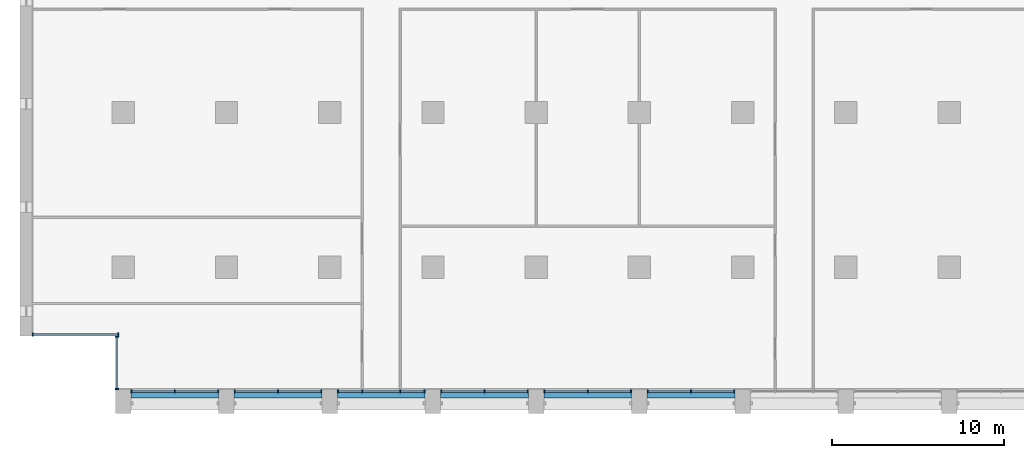
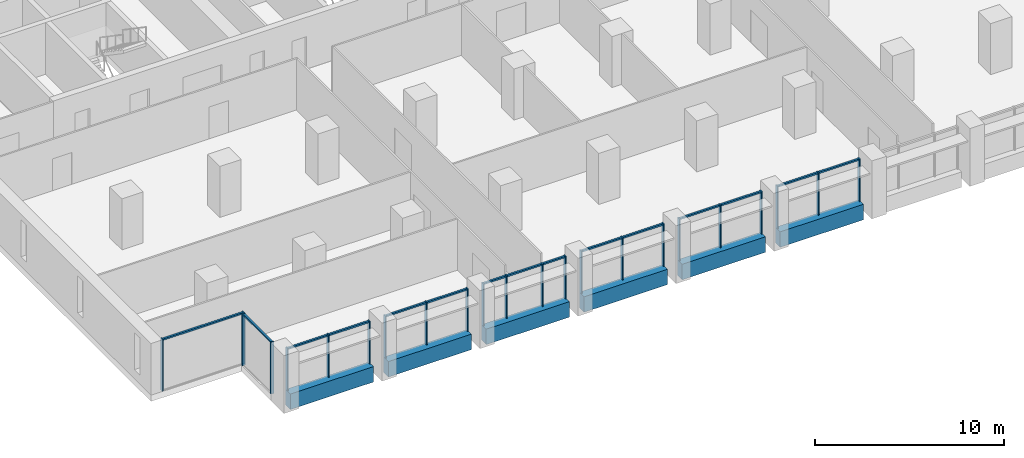
# One storey, part 2 of 15: 38 members, 6 beams, 8 elements without a shape of their own.
"""IFC4 building model written with IfcOpenShell, lengths in metres."""

from ifc_helpers import new_model, si_unit, direction, frame, origin, origin_2d, place, context, subcontext, project, spatial, rectangle, extrude, material, material_profile, profile_set, type_object, element, aggregate, save


model = new_model("IFC4")

# Units and contexts
model_context = context("Model", 3, precision=1e-05, world=origin(), true_north=direction((0.0, 1.0)))
body_context = subcontext(model_context, "Body", "Model", "MODEL_VIEW")
ifc_project = project(units=[si_unit("LENGTHUNIT", "METRE"), si_unit("AREAUNIT", "SQUARE_METRE"), si_unit("VOLUMEUNIT", "CUBIC_METRE"), si_unit("PLANEANGLEUNIT", "RADIAN"), si_unit("MASSUNIT", "GRAM", prefix="KILO")], contexts=[model_context])

# Site, building, storey
site_placement = place(None, origin())
site = spatial("IfcSite", under=ifc_project, at=site_placement, CompositionType="ELEMENT")
building_placement = place(site_placement, origin())
building = spatial("IfcBuilding", under=site, at=building_placement, Name="Calvaro Tower", CompositionType="ELEMENT")
storey_placement = place(building_placement, frame((0.0, 0.0, 125.0)))
storey = spatial("IfcBuildingStorey", under=building, at=storey_placement, Name="L31", CompositionType="ELEMENT", Elevation=125.0)

# Curtain wall, members
ifc_material_1 = material(Name="Anodised aluminium", Category="aluminium")
curtain_wall_type = type_object("IfcCurtainWallType", Name="Office curtain wall, middle zone", PredefinedType="NOTDEFINED", material=ifc_material_1)
curtain_wall_1_placement = place(storey_placement, origin())
curtain_wall_1 = element("IfcCurtainWall", 1, at=curtain_wall_1_placement, inside=storey, type_object=curtain_wall_type, Name="CW2 south curtain wall", PredefinedType="NOTDEFINED")
ifc_material_2 = material(Name="Anodised aluminium", Category="aluminium")
ifc_material_profile_1 = material_profile(ifc_material_2, rectangle(XDim=0.199951171875, YDim=0.070068359375, at=origin_2d()), Name="Mullion S2 70 x 200")
ifc_profile_set_1 = profile_set([ifc_material_profile_1], Name="Anodised aluminium")
member_type_1 = type_object("IfcMemberType", Name="Mullion S2 70 x 200", PredefinedType="MULLION", material=ifc_profile_set_1)
member_1_placement = place(storey_placement, frame((6.485107421875, 2.800048828125, 0.0), z_axis=(0.0, 0.0, 1.0), x_axis=(0.0, 1.0, 0.0)))
member_1 = element("IfcMember", 2, at=member_1_placement, type_object=member_type_1, Name="CW2 mullion 1", PredefinedType="MULLION", context=body_context, shape_type="SweptSolid", body=[
    extrude(rectangle(XDim=0.199951171875, YDim=0.070068359375, at=origin_2d()), origin(), (0.0, 0.0, 1.0), 2.75),
])
member_2_placement = place(storey_placement, frame((9.0, 2.800048828125, 0.0), z_axis=(0.0, 0.0, 1.0), x_axis=(0.0, 1.0, 0.0)))
member_2 = element("IfcMember", 3, at=member_2_placement, type_object=member_type_1, Name="CW2 mullion 2", PredefinedType="MULLION", context=body_context, shape_type="SweptSolid", body=[
    extrude(rectangle(XDim=0.199951171875, YDim=0.070068359375, at=origin_2d()), origin(), (0.0, 0.0, 1.0), 2.75),
])
member_3_placement = place(storey_placement, frame((11.514892578125, 2.800048828125, 0.0), z_axis=(0.0, 0.0, 1.0), x_axis=(0.0, 1.0, 0.0)))
member_3 = element("IfcMember", 4, at=member_3_placement, type_object=member_type_1, Name="CW2 mullion 3", PredefinedType="MULLION", context=body_context, shape_type="SweptSolid", body=[
    extrude(rectangle(XDim=0.199951171875, YDim=0.070068359375, at=origin_2d()), origin(), (0.0, 0.0, 1.0), 2.75),
])

curtain_wall_2_placement = place(storey_placement, origin())
curtain_wall_2 = element("IfcCurtainWall", 5, at=curtain_wall_2_placement, inside=storey, type_object=curtain_wall_type, Name="CW2 south curtain wall", PredefinedType="NOTDEFINED")
member_4_placement = place(storey_placement, frame((12.485107421875, 2.800048828125, 0.0), z_axis=(0.0, 0.0, 1.0), x_axis=(0.0, 1.0, 0.0)))
member_4 = element("IfcMember", 6, at=member_4_placement, type_object=member_type_1, Name="CW2 mullion 1", PredefinedType="MULLION", context=body_context, shape_type="SweptSolid", body=[
    extrude(rectangle(XDim=0.199951171875, YDim=0.070068359375, at=origin_2d()), origin(), (0.0, 0.0, 1.0), 2.75),
])
member_5_placement = place(storey_placement, frame((15.0, 2.800048828125, 0.0), z_axis=(0.0, 0.0, 1.0), x_axis=(0.0, 1.0, 0.0)))
member_5 = element("IfcMember", 7, at=member_5_placement, type_object=member_type_1, Name="CW2 mullion 2", PredefinedType="MULLION", context=body_context, shape_type="SweptSolid", body=[
    extrude(rectangle(XDim=0.199951171875, YDim=0.070068359375, at=origin_2d()), origin(), (0.0, 0.0, 1.0), 2.75),
])
member_6_placement = place(storey_placement, frame((17.514892578125, 2.800048828125, 0.0), z_axis=(0.0, 0.0, 1.0), x_axis=(0.0, 1.0, 0.0)))
member_6 = element("IfcMember", 8, at=member_6_placement, type_object=member_type_1, Name="CW2 mullion 3", PredefinedType="MULLION", context=body_context, shape_type="SweptSolid", body=[
    extrude(rectangle(XDim=0.199951171875, YDim=0.070068359375, at=origin_2d()), origin(), (0.0, 0.0, 1.0), 2.75),
])

curtain_wall_3_placement = place(storey_placement, origin())
curtain_wall_3 = element("IfcCurtainWall", 9, at=curtain_wall_3_placement, inside=storey, type_object=curtain_wall_type, Name="CW2 south curtain wall", PredefinedType="NOTDEFINED")
member_7_placement = place(storey_placement, frame((18.485107421875, 2.800048828125, 0.0), z_axis=(0.0, 0.0, 1.0), x_axis=(0.0, 1.0, 0.0)))
member_7 = element("IfcMember", 10, at=member_7_placement, type_object=member_type_1, Name="CW2 mullion 1", PredefinedType="MULLION", context=body_context, shape_type="SweptSolid", body=[
    extrude(rectangle(XDim=0.199951171875, YDim=0.070068359375, at=origin_2d()), origin(), (0.0, 0.0, 1.0), 2.75),
])
member_8_placement = place(storey_placement, frame((19.89990234375, 2.800048828125, 0.0), z_axis=(0.0, 0.0, 1.0), x_axis=(0.0, 1.0, 0.0)))
member_8 = element("IfcMember", 11, at=member_8_placement, type_object=member_type_1, Name="CW2 mullion 2", PredefinedType="MULLION", context=body_context, shape_type="SweptSolid", body=[
    extrude(rectangle(XDim=0.199951171875, YDim=0.070068359375, at=origin_2d()), origin(), (0.0, 0.0, 1.0), 2.75),
])
member_9_placement = place(storey_placement, frame((22.10009765625, 2.800048828125, 0.0), z_axis=(0.0, 0.0, 1.0), x_axis=(0.0, 1.0, 0.0)))
member_9 = element("IfcMember", 12, at=member_9_placement, type_object=member_type_1, Name="CW2 mullion 3", PredefinedType="MULLION", context=body_context, shape_type="SweptSolid", body=[
    extrude(rectangle(XDim=0.199951171875, YDim=0.070068359375, at=origin_2d()), origin(), (0.0, 0.0, 1.0), 2.75),
])
member_10_placement = place(storey_placement, frame((23.514892578125, 2.800048828125, 0.0), z_axis=(0.0, 0.0, 1.0), x_axis=(0.0, 1.0, 0.0)))
member_10 = element("IfcMember", 13, at=member_10_placement, type_object=member_type_1, Name="CW2 mullion 4", PredefinedType="MULLION", context=body_context, shape_type="SweptSolid", body=[
    extrude(rectangle(XDim=0.199951171875, YDim=0.070068359375, at=origin_2d()), origin(), (0.0, 0.0, 1.0), 2.75),
])

curtain_wall_4_placement = place(storey_placement, origin())
curtain_wall_4 = element("IfcCurtainWall", 14, at=curtain_wall_4_placement, inside=storey, type_object=curtain_wall_type, Name="CW2 south curtain wall", PredefinedType="NOTDEFINED")
member_11_placement = place(storey_placement, frame((24.485107421875, 2.800048828125, 0.0), z_axis=(0.0, 0.0, 1.0), x_axis=(0.0, 1.0, 0.0)))
member_11 = element("IfcMember", 15, at=member_11_placement, type_object=member_type_1, Name="CW2 mullion 1", PredefinedType="MULLION", context=body_context, shape_type="SweptSolid", body=[
    extrude(rectangle(XDim=0.199951171875, YDim=0.070068359375, at=origin_2d()), origin(), (0.0, 0.0, 1.0), 2.75),
])
member_12_placement = place(storey_placement, frame((27.0, 2.800048828125, 0.0), z_axis=(0.0, 0.0, 1.0), x_axis=(0.0, 1.0, 0.0)))
member_12 = element("IfcMember", 16, at=member_12_placement, type_object=member_type_1, Name="CW2 mullion 2", PredefinedType="MULLION", context=body_context, shape_type="SweptSolid", body=[
    extrude(rectangle(XDim=0.199951171875, YDim=0.070068359375, at=origin_2d()), origin(), (0.0, 0.0, 1.0), 2.75),
])
member_13_placement = place(storey_placement, frame((29.514892578125, 2.800048828125, 0.0), z_axis=(0.0, 0.0, 1.0), x_axis=(0.0, 1.0, 0.0)))
member_13 = element("IfcMember", 17, at=member_13_placement, type_object=member_type_1, Name="CW2 mullion 3", PredefinedType="MULLION", context=body_context, shape_type="SweptSolid", body=[
    extrude(rectangle(XDim=0.199951171875, YDim=0.070068359375, at=origin_2d()), origin(), (0.0, 0.0, 1.0), 2.75),
])

curtain_wall_5_placement = place(storey_placement, origin())
curtain_wall_5 = element("IfcCurtainWall", 18, at=curtain_wall_5_placement, inside=storey, type_object=curtain_wall_type, Name="CW2 south curtain wall", PredefinedType="NOTDEFINED")
member_14_placement = place(storey_placement, frame((30.485107421875, 2.800048828125, 0.0), z_axis=(0.0, 0.0, 1.0), x_axis=(0.0, 1.0, 0.0)))
member_14 = element("IfcMember", 19, at=member_14_placement, type_object=member_type_1, Name="CW2 mullion 1", PredefinedType="MULLION", context=body_context, shape_type="SweptSolid", body=[
    extrude(rectangle(XDim=0.199951171875, YDim=0.070068359375, at=origin_2d()), origin(), (0.0, 0.0, 1.0), 2.75),
])
member_15_placement = place(storey_placement, frame((33.0, 2.800048828125, 0.0), z_axis=(0.0, 0.0, 1.0), x_axis=(0.0, 1.0, 0.0)))
member_15 = element("IfcMember", 20, at=member_15_placement, type_object=member_type_1, Name="CW2 mullion 2", PredefinedType="MULLION", context=body_context, shape_type="SweptSolid", body=[
    extrude(rectangle(XDim=0.199951171875, YDim=0.070068359375, at=origin_2d()), origin(), (0.0, 0.0, 1.0), 2.75),
])
member_16_placement = place(storey_placement, frame((35.514892578125, 2.800048828125, 0.0), z_axis=(0.0, 0.0, 1.0), x_axis=(0.0, 1.0, 0.0)))
member_16 = element("IfcMember", 21, at=member_16_placement, type_object=member_type_1, Name="CW2 mullion 3", PredefinedType="MULLION", context=body_context, shape_type="SweptSolid", body=[
    extrude(rectangle(XDim=0.199951171875, YDim=0.070068359375, at=origin_2d()), origin(), (0.0, 0.0, 1.0), 2.75),
])

curtain_wall_6_placement = place(storey_placement, origin())
curtain_wall_6 = element("IfcCurtainWall", 22, at=curtain_wall_6_placement, inside=storey, type_object=curtain_wall_type, Name="CW2 south curtain wall", PredefinedType="NOTDEFINED")
member_17_placement = place(storey_placement, frame((36.485107421875, 2.800048828125, 0.0), z_axis=(0.0, 0.0, 1.0), x_axis=(0.0, 1.0, 0.0)))
member_17 = element("IfcMember", 23, at=member_17_placement, type_object=member_type_1, Name="CW2 mullion 1", PredefinedType="MULLION", context=body_context, shape_type="SweptSolid", body=[
    extrude(rectangle(XDim=0.199951171875, YDim=0.070068359375, at=origin_2d()), origin(), (0.0, 0.0, 1.0), 2.75),
])
member_18_placement = place(storey_placement, frame((39.0, 2.800048828125, 0.0), z_axis=(0.0, 0.0, 1.0), x_axis=(0.0, 1.0, 0.0)))
member_18 = element("IfcMember", 24, at=member_18_placement, type_object=member_type_1, Name="CW2 mullion 2", PredefinedType="MULLION", context=body_context, shape_type="SweptSolid", body=[
    extrude(rectangle(XDim=0.199951171875, YDim=0.070068359375, at=origin_2d()), origin(), (0.0, 0.0, 1.0), 2.75),
])
member_19_placement = place(storey_placement, frame((41.514892578125, 2.800048828125, 0.0), z_axis=(0.0, 0.0, 1.0), x_axis=(0.0, 1.0, 0.0)))
member_19 = element("IfcMember", 25, at=member_19_placement, type_object=member_type_1, Name="CW2 mullion 3", PredefinedType="MULLION", context=body_context, shape_type="SweptSolid", body=[
    extrude(rectangle(XDim=0.199951171875, YDim=0.070068359375, at=origin_2d()), origin(), (0.0, 0.0, 1.0), 2.75),
])

curtain_wall_7_placement = place(storey_placement, origin())
curtain_wall_7 = element("IfcCurtainWall", 26, at=curtain_wall_7_placement, inside=storey, type_object=curtain_wall_type, Name="CW2 corner curtain wall", PredefinedType="NOTDEFINED")
member_20_placement = place(storey_placement, frame((5.64990234375, 2.93505859375, 0.0), z_axis=(0.0, 0.0, 1.0), x_axis=(-1.0, 0.0, 0.0)))
member_20 = element("IfcMember", 27, at=member_20_placement, type_object=member_type_1, Name="CW2 mullion 1", PredefinedType="MULLION", context=body_context, shape_type="SweptSolid", body=[
    extrude(rectangle(XDim=0.199951171875, YDim=0.070068359375, at=origin_2d()), origin(), (0.0, 0.0, 1.0), 3.35009765625),
])
member_21_placement = place(storey_placement, frame((5.64990234375, 5.965087890625, 0.0), z_axis=(0.0, 0.0, 1.0), x_axis=(-1.0, 0.0, 0.0)))
member_21 = element("IfcMember", 28, at=member_21_placement, type_object=member_type_1, Name="CW2 mullion 2", PredefinedType="MULLION", context=body_context, shape_type="SweptSolid", body=[
    extrude(rectangle(XDim=0.199951171875, YDim=0.070068359375, at=origin_2d()), origin(), (0.0, 0.0, 1.0), 3.35009765625),
])

curtain_wall_8_placement = place(storey_placement, origin())
curtain_wall_8 = element("IfcCurtainWall", 29, at=curtain_wall_8_placement, inside=storey, type_object=curtain_wall_type, Name="CW2 corner curtain wall", PredefinedType="NOTDEFINED")
member_22_placement = place(storey_placement, frame((0.735107421875, 6.10009765625, 0.0), z_axis=(0.0, 0.0, 1.0), x_axis=(0.0, 1.0, 0.0)))
member_22 = element("IfcMember", 30, at=member_22_placement, type_object=member_type_1, Name="CW2 mullion 1", PredefinedType="MULLION", context=body_context, shape_type="SweptSolid", body=[
    extrude(rectangle(XDim=0.199951171875, YDim=0.070068359375, at=origin_2d()), origin(), (0.0, 0.0, 1.0), 3.35009765625),
])
member_23_placement = place(storey_placement, frame((5.715087890625, 6.10009765625, 0.0), z_axis=(0.0, 0.0, 1.0), x_axis=(0.0, 1.0, 0.0)))
member_23 = element("IfcMember", 31, at=member_23_placement, type_object=member_type_1, Name="CW2 mullion 2", PredefinedType="MULLION", context=body_context, shape_type="SweptSolid", body=[
    extrude(rectangle(XDim=0.199951171875, YDim=0.070068359375, at=origin_2d()), origin(), (0.0, 0.0, 1.0), 3.35009765625),
])

# Beams
ifc_material_3 = material(Name="Concrete C50/60 precast", Category="concrete")
ifc_material_profile_2 = material_profile(ifc_material_3, rectangle(XDim=0.5, YDim=1.0, at=origin_2d()), Name="RC 500x1000")
ifc_profile_set_2 = profile_set([ifc_material_profile_2], Name="Concrete C50/60 precast")
beam_type = type_object("IfcBeamType", Name="Spandrel beam 500x1000 C50/60", PredefinedType="SPANDREL", material=ifc_profile_set_2)
for number, where, z_axis, x_axis, name in (
    (32, (6.449951171875, 2.64990234375, -0.5), (1.0, 0.0, 0.0), (0.0, 1.0, 0.0), "Spandrel beam"),
    (33, (12.449951171875, 2.64990234375, -0.5), (1.0, 0.0, 0.0), (0.0, 1.0, 0.0), "Spandrel beam"),
    (34, (18.449951171875, 2.64990234375, -0.5), (1.0, 0.0, 0.0), (0.0, 1.0, 0.0), "Spandrel beam"),
    (35, (24.449951171875, 2.64990234375, -0.5), (1.0, 0.0, 0.0), (0.0, 1.0, 0.0), "Spandrel beam"),
    (36, (30.449951171875, 2.64990234375, -0.5), (1.0, 0.0, 0.0), (0.0, 1.0, 0.0), "Spandrel beam"),
    (37, (36.449951171875, 2.64990234375, -0.5), (1.0, 0.0, 0.0), (0.0, 1.0, 0.0), "Spandrel beam"),
):
    element("IfcBeam", number, at=place(storey_placement, frame(where, z_axis=z_axis, x_axis=x_axis)), inside=storey, type_object=beam_type, Name=name, PredefinedType="SPANDREL", context=body_context, shape_type="SweptSolid", body=[
        extrude(rectangle(XDim=0.5, YDim=1.0, at=origin_2d()), origin(), (0.0, 0.0, 1.0), 5.10009765625),
    ])

# Member
ifc_material_4 = material(Name="Anodised aluminium", Category="aluminium")
ifc_material_profile_3 = material_profile(ifc_material_4, rectangle(XDim=0.1201171875, YDim=0.10009765625, at=origin_2d()), Name="Transom S2 100 x 120")
ifc_profile_set_3 = profile_set([ifc_material_profile_3], Name="Anodised aluminium")
member_type_2 = type_object("IfcMemberType", Name="Transom S2 100 x 120", PredefinedType="USERDEFINED", material=ifc_profile_set_3)
member_24_placement = place(storey_placement, frame((6.52001953125, 2.800048828125, 2.699951171875), z_axis=(1.0, 0.0, 0.0), x_axis=(0.0, 1.0, 0.0)))
member_24 = element("IfcMember", 38, at=member_24_placement, type_object=member_type_2, Name="CW2 transom 1.1", ObjectType="TRANSOM", PredefinedType="USERDEFINED", context=body_context, shape_type="SweptSolid", body=[
    extrude(rectangle(XDim=0.1201171875, YDim=0.10009765625, at=origin_2d()), origin(), (0.0, 0.0, 1.0), 2.445068359375),
])

member_25_placement = place(storey_placement, frame((9.034912109375, 2.800048828125, 2.699951171875), z_axis=(1.0, 0.0, 0.0), x_axis=(0.0, 1.0, 0.0)))
member_25 = element("IfcMember", 39, at=member_25_placement, type_object=member_type_2, Name="CW2 transom 2.1", ObjectType="TRANSOM", PredefinedType="USERDEFINED", context=body_context, shape_type="SweptSolid", body=[
    extrude(rectangle(XDim=0.1201171875, YDim=0.10009765625, at=origin_2d()), origin(), (0.0, 0.0, 1.0), 2.445068359375),
])

aggregate(curtain_wall_1, [member_1, member_2, member_3, member_24, member_25])

member_26_placement = place(storey_placement, frame((12.52001953125, 2.800048828125, 2.699951171875), z_axis=(1.0, 0.0, 0.0), x_axis=(0.0, 1.0, 0.0)))
member_26 = element("IfcMember", 40, at=member_26_placement, type_object=member_type_2, Name="CW2 transom 1.1", ObjectType="TRANSOM", PredefinedType="USERDEFINED", context=body_context, shape_type="SweptSolid", body=[
    extrude(rectangle(XDim=0.1201171875, YDim=0.10009765625, at=origin_2d()), origin(), (0.0, 0.0, 1.0), 2.445068359375),
])

member_27_placement = place(storey_placement, frame((15.034912109375, 2.800048828125, 2.699951171875), z_axis=(1.0, 0.0, 0.0), x_axis=(0.0, 1.0, 0.0)))
member_27 = element("IfcMember", 41, at=member_27_placement, type_object=member_type_2, Name="CW2 transom 2.1", ObjectType="TRANSOM", PredefinedType="USERDEFINED", context=body_context, shape_type="SweptSolid", body=[
    extrude(rectangle(XDim=0.1201171875, YDim=0.10009765625, at=origin_2d()), origin(), (0.0, 0.0, 1.0), 2.445068359375),
])

aggregate(curtain_wall_2, [member_4, member_5, member_6, member_26, member_27])

member_28_placement = place(storey_placement, frame((18.52001953125, 2.800048828125, 2.699951171875), z_axis=(1.0, 0.0, 0.0), x_axis=(0.0, 1.0, 0.0)))
member_28 = element("IfcMember", 42, at=member_28_placement, type_object=member_type_2, Name="CW2 transom 1.1", ObjectType="TRANSOM", PredefinedType="USERDEFINED", context=body_context, shape_type="SweptSolid", body=[
    extrude(rectangle(XDim=0.1201171875, YDim=0.10009765625, at=origin_2d()), origin(), (0.0, 0.0, 1.0), 1.344970703125),
])

member_29_placement = place(storey_placement, frame((19.93505859375, 2.800048828125, 2.699951171875), z_axis=(1.0, 0.0, 0.0), x_axis=(0.0, 1.0, 0.0)))
member_29 = element("IfcMember", 43, at=member_29_placement, type_object=member_type_2, Name="CW2 transom 2.1", ObjectType="TRANSOM", PredefinedType="USERDEFINED", context=body_context, shape_type="SweptSolid", body=[
    extrude(rectangle(XDim=0.1201171875, YDim=0.10009765625, at=origin_2d()), origin(), (0.0, 0.0, 1.0), 2.1298828125),
])

member_30_placement = place(storey_placement, frame((22.135009765625, 2.800048828125, 2.699951171875), z_axis=(1.0, 0.0, 0.0), x_axis=(0.0, 1.0, 0.0)))
member_30 = element("IfcMember", 44, at=member_30_placement, type_object=member_type_2, Name="CW2 transom 3.1", ObjectType="TRANSOM", PredefinedType="USERDEFINED", context=body_context, shape_type="SweptSolid", body=[
    extrude(rectangle(XDim=0.1201171875, YDim=0.10009765625, at=origin_2d()), origin(), (0.0, 0.0, 1.0), 1.344970703125),
])

aggregate(curtain_wall_3, [member_7, member_8, member_9, member_10, member_28, member_29, member_30])

member_31_placement = place(storey_placement, frame((24.52001953125, 2.800048828125, 2.699951171875), z_axis=(1.0, 0.0, 0.0), x_axis=(0.0, 1.0, 0.0)))
member_31 = element("IfcMember", 45, at=member_31_placement, type_object=member_type_2, Name="CW2 transom 1.1", ObjectType="TRANSOM", PredefinedType="USERDEFINED", context=body_context, shape_type="SweptSolid", body=[
    extrude(rectangle(XDim=0.1201171875, YDim=0.10009765625, at=origin_2d()), origin(), (0.0, 0.0, 1.0), 2.445068359375),
])

member_32_placement = place(storey_placement, frame((27.034912109375, 2.800048828125, 2.699951171875), z_axis=(1.0, 0.0, 0.0), x_axis=(0.0, 1.0, 0.0)))
member_32 = element("IfcMember", 46, at=member_32_placement, type_object=member_type_2, Name="CW2 transom 2.1", ObjectType="TRANSOM", PredefinedType="USERDEFINED", context=body_context, shape_type="SweptSolid", body=[
    extrude(rectangle(XDim=0.1201171875, YDim=0.10009765625, at=origin_2d()), origin(), (0.0, 0.0, 1.0), 2.445068359375),
])

aggregate(curtain_wall_4, [member_11, member_12, member_13, member_31, member_32])

member_33_placement = place(storey_placement, frame((30.52001953125, 2.800048828125, 2.699951171875), z_axis=(1.0, 0.0, 0.0), x_axis=(0.0, 1.0, 0.0)))
member_33 = element("IfcMember", 47, at=member_33_placement, type_object=member_type_2, Name="CW2 transom 1.1", ObjectType="TRANSOM", PredefinedType="USERDEFINED", context=body_context, shape_type="SweptSolid", body=[
    extrude(rectangle(XDim=0.1201171875, YDim=0.10009765625, at=origin_2d()), origin(), (0.0, 0.0, 1.0), 2.445068359375),
])

member_34_placement = place(storey_placement, frame((33.034912109375, 2.800048828125, 2.699951171875), z_axis=(1.0, 0.0, 0.0), x_axis=(0.0, 1.0, 0.0)))
member_34 = element("IfcMember", 48, at=member_34_placement, type_object=member_type_2, Name="CW2 transom 2.1", ObjectType="TRANSOM", PredefinedType="USERDEFINED", context=body_context, shape_type="SweptSolid", body=[
    extrude(rectangle(XDim=0.1201171875, YDim=0.10009765625, at=origin_2d()), origin(), (0.0, 0.0, 1.0), 2.445068359375),
])

aggregate(curtain_wall_5, [member_14, member_15, member_16, member_33, member_34])

member_35_placement = place(storey_placement, frame((36.52001953125, 2.800048828125, 2.699951171875), z_axis=(1.0, 0.0, 0.0), x_axis=(0.0, 1.0, 0.0)))
member_35 = element("IfcMember", 49, at=member_35_placement, type_object=member_type_2, Name="CW2 transom 1.1", ObjectType="TRANSOM", PredefinedType="USERDEFINED", context=body_context, shape_type="SweptSolid", body=[
    extrude(rectangle(XDim=0.1201171875, YDim=0.10009765625, at=origin_2d()), origin(), (0.0, 0.0, 1.0), 2.445068359375),
])

member_36_placement = place(storey_placement, frame((39.034912109375, 2.800048828125, 2.699951171875), z_axis=(1.0, 0.0, 0.0), x_axis=(0.0, 1.0, 0.0)))
member_36 = element("IfcMember", 50, at=member_36_placement, type_object=member_type_2, Name="CW2 transom 2.1", ObjectType="TRANSOM", PredefinedType="USERDEFINED", context=body_context, shape_type="SweptSolid", body=[
    extrude(rectangle(XDim=0.1201171875, YDim=0.10009765625, at=origin_2d()), origin(), (0.0, 0.0, 1.0), 2.445068359375),
])

aggregate(curtain_wall_6, [member_17, member_18, member_19, member_35, member_36])

member_37_placement = place(storey_placement, frame((5.64990234375, 2.969970703125, 3.300048828125), z_axis=(0.0, 1.0, 0.0), x_axis=(-1.0, 0.0, 0.0)))
member_37 = element("IfcMember", 51, at=member_37_placement, type_object=member_type_2, Name="CW2 transom 1.1", ObjectType="TRANSOM", PredefinedType="USERDEFINED", context=body_context, shape_type="SweptSolid", body=[
    extrude(rectangle(XDim=0.1201171875, YDim=0.10009765625, at=origin_2d()), origin(), (0.0, 0.0, 1.0), 2.9599609375),
])

aggregate(curtain_wall_7, [member_20, member_21, member_37])

member_38_placement = place(storey_placement, frame((0.77001953125, 6.10009765625, 3.300048828125), z_axis=(1.0, 0.0, 0.0), x_axis=(0.0, 1.0, 0.0)))
member_38 = element("IfcMember", 52, at=member_38_placement, type_object=member_type_2, Name="CW2 transom 1.1", ObjectType="TRANSOM", PredefinedType="USERDEFINED", context=body_context, shape_type="SweptSolid", body=[
    extrude(rectangle(XDim=0.1201171875, YDim=0.10009765625, at=origin_2d()), origin(), (0.0, 0.0, 1.0), 4.909912109375),
])

aggregate(curtain_wall_8, [member_22, member_23, member_38])

save(model, "model.ifc")
